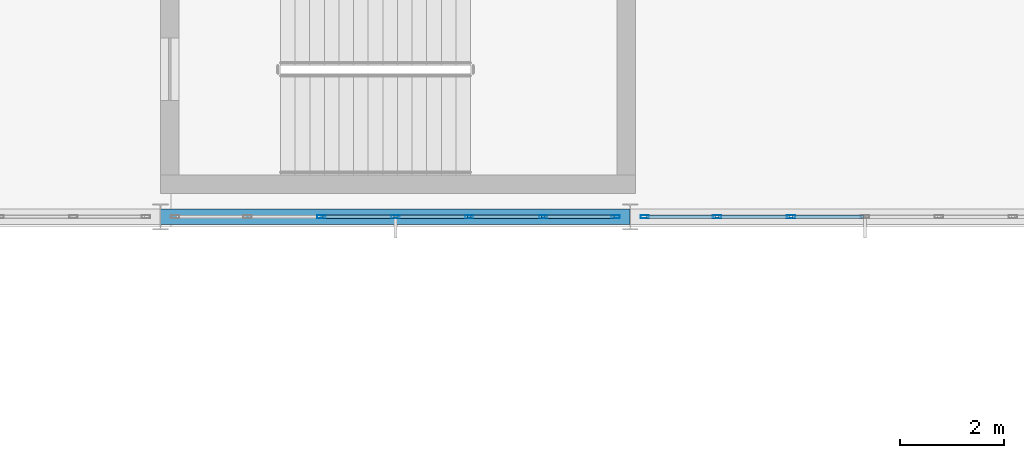
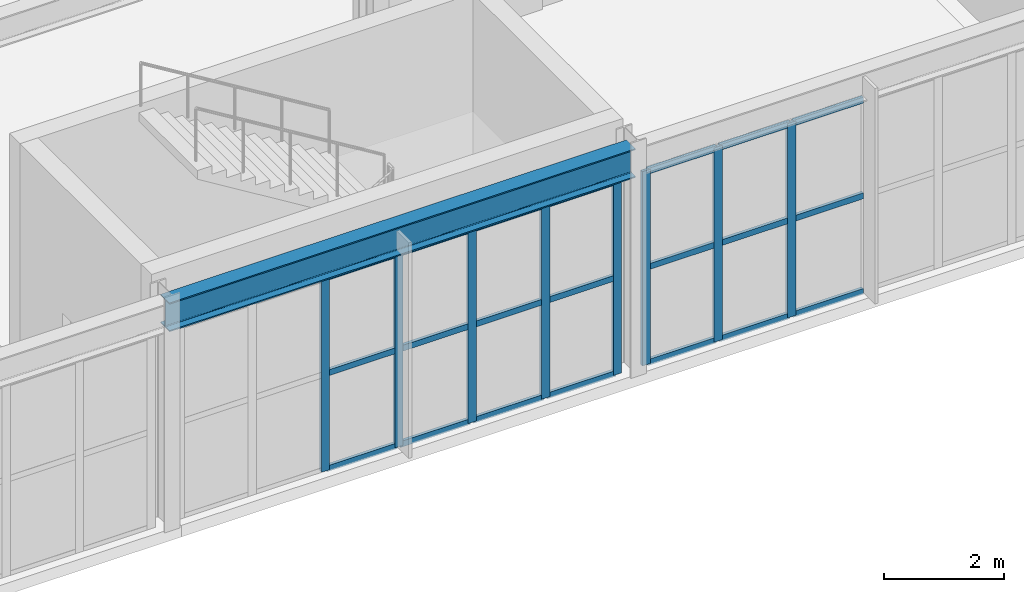
# One storey, part 34 of 112: 29 members, 1 beam, 2 elements without a shape of their own.
"""IFC4 building model written with IfcOpenShell, lengths in metres."""

from ifc_helpers import new_model, si_unit, direction, frame, origin, origin_2d, place, context, subcontext, project, spatial, hollow_rectangle, i_section, extrude, material, material_profile, profile_set, type_object, element, aggregate, save


model = new_model("IFC4")

# Units and contexts
model_context = context("Model", 3, precision=1e-05, world=origin(), true_north=direction((0.0, 1.0)))
body_context = subcontext(model_context, "Body", "Model", "MODEL_VIEW")
ifc_project = project(units=[si_unit("LENGTHUNIT", "METRE"), si_unit("AREAUNIT", "SQUARE_METRE"), si_unit("VOLUMEUNIT", "CUBIC_METRE"), si_unit("PLANEANGLEUNIT", "RADIAN"), si_unit("MASSUNIT", "GRAM", prefix="KILO")], contexts=[model_context])

# Site, building, storey
site_placement = place(None, origin())
site = spatial("IfcSite", under=ifc_project, at=site_placement, CompositionType="ELEMENT")
building_placement = place(site_placement, origin())
building = spatial("IfcBuilding", under=site, at=building_placement, Name="Kaldris Quays Convention Centre", CompositionType="ELEMENT")
storey_placement = place(building_placement, frame((0.0, 0.0, 16.800048828125)))
storey = spatial("IfcBuildingStorey", under=building, at=storey_placement, Name="L03", CompositionType="ELEMENT", Elevation=16.800048828125)

# Curtain wall, members
ifc_material_1 = material(Name="Anodized aluminium AW-6060 and triple glazing", Category="aluminium")
curtain_wall_type = type_object("IfcCurtainWallType", Name="UNITISED CURTAIN WALL CW04", PredefinedType="NOTDEFINED", material=ifc_material_1)
curtain_wall_1_placement = place(storey_placement, origin())
curtain_wall_1 = element("IfcCurtainWall", 1, at=curtain_wall_1_placement, inside=storey, type_object=curtain_wall_type, Name="L03 Unitised Curtain Wall CW04 126", PredefinedType="NOTDEFINED")
ifc_material_2 = material(Name="Anodized aluminium AW-6060", Category="aluminium")
ifc_material_profile_1 = material_profile(ifc_material_2, hollow_rectangle(XDim=0.06005859375, YDim=0.159912109375, WallThickness=0.00390625, at=origin_2d()), Name="RHS 160x60x4")
ifc_profile_set_1 = profile_set([ifc_material_profile_1], Name="Anodized aluminium AW-6060")
member_type_1 = type_object("IfcMemberType", Name="CURTAIN MULLION CWM1", PredefinedType="MULLION", material=ifc_profile_set_1)
member_1_placement = place(storey_placement, frame((131.083251953125, 38.0, 0.0), z_axis=(0.0, 0.0, 1.0), x_axis=(0.0, 1.0, 0.0)))
member_1 = element("IfcMember", 2, at=member_1_placement, type_object=member_type_1, Name="CW04 mullion 3", PredefinedType="MULLION", context=body_context, shape_type="SweptSolid", body=[
    extrude(hollow_rectangle(XDim=0.06005859375, YDim=0.159912109375, WallThickness=0.00390625, at=origin_2d()), origin(), (0.0, 0.0, 1.0), 3.96484375),
])
member_2_placement = place(storey_placement, frame((132.5, 38.0, 0.0), z_axis=(0.0, 0.0, 1.0), x_axis=(0.0, 1.0, 0.0)))
member_2 = element("IfcMember", 3, at=member_2_placement, type_object=member_type_1, Name="CW04 mullion 4", PredefinedType="MULLION", context=body_context, shape_type="SweptSolid", body=[
    extrude(hollow_rectangle(XDim=0.06005859375, YDim=0.159912109375, WallThickness=0.00390625, at=origin_2d()), origin(), (0.0, 0.0, 1.0), 3.96484375),
])
member_3_placement = place(storey_placement, frame((133.916748046875, 38.0, 0.0), z_axis=(0.0, 0.0, 1.0), x_axis=(0.0, 1.0, 0.0)))
member_3 = element("IfcMember", 4, at=member_3_placement, type_object=member_type_1, Name="CW04 mullion 5", PredefinedType="MULLION", context=body_context, shape_type="SweptSolid", body=[
    extrude(hollow_rectangle(XDim=0.06005859375, YDim=0.159912109375, WallThickness=0.00390625, at=origin_2d()), origin(), (0.0, 0.0, 1.0), 3.96484375),
])
member_4_placement = place(storey_placement, frame((135.333251953125, 38.0, 0.0), z_axis=(0.0, 0.0, 1.0), x_axis=(0.0, 1.0, 0.0)))
member_4 = element("IfcMember", 5, at=member_4_placement, type_object=member_type_1, Name="CW04 mullion 6", PredefinedType="MULLION", context=body_context, shape_type="SweptSolid", body=[
    extrude(hollow_rectangle(XDim=0.06005859375, YDim=0.159912109375, WallThickness=0.00390625, at=origin_2d()), origin(), (0.0, 0.0, 1.0), 3.96484375),
])
member_5_placement = place(storey_placement, frame((136.719970703125, 38.0, 0.0), z_axis=(0.0, 0.0, 1.0), x_axis=(0.0, 1.0, 0.0)))
member_5 = element("IfcMember", 6, at=member_5_placement, type_object=member_type_1, Name="CW04 mullion 7", PredefinedType="MULLION", context=body_context, shape_type="SweptSolid", body=[
    extrude(hollow_rectangle(XDim=0.06005859375, YDim=0.159912109375, WallThickness=0.00390625, at=origin_2d()), origin(), (0.0, 0.0, 1.0), 3.96484375),
])

curtain_wall_2_placement = place(storey_placement, origin())
curtain_wall_2 = element("IfcCurtainWall", 7, at=curtain_wall_2_placement, inside=storey, type_object=curtain_wall_type, Name="L03 Unitised Curtain Wall CW04 127", PredefinedType="NOTDEFINED")
member_6_placement = place(storey_placement, frame((137.280029296875, 38.0, 0.0), z_axis=(0.0, 0.0, 1.0), x_axis=(0.0, 1.0, 0.0)))
member_6 = element("IfcMember", 8, at=member_6_placement, type_object=member_type_1, Name="CW04 mullion 1", PredefinedType="MULLION", context=body_context, shape_type="SweptSolid", body=[
    extrude(hollow_rectangle(XDim=0.06005859375, YDim=0.159912109375, WallThickness=0.00390625, at=origin_2d()), origin(), (0.0, 0.0, 1.0), 3.96484375),
])
member_7_placement = place(storey_placement, frame((138.666748046875, 38.0, 0.0), z_axis=(0.0, 0.0, 1.0), x_axis=(0.0, 1.0, 0.0)))
member_7 = element("IfcMember", 9, at=member_7_placement, type_object=member_type_1, Name="CW04 mullion 2", PredefinedType="MULLION", context=body_context, shape_type="SweptSolid", body=[
    extrude(hollow_rectangle(XDim=0.06005859375, YDim=0.159912109375, WallThickness=0.00390625, at=origin_2d()), origin(), (0.0, 0.0, 1.0), 3.96484375),
])
member_8_placement = place(storey_placement, frame((140.083251953125, 38.0, 0.0), z_axis=(0.0, 0.0, 1.0), x_axis=(0.0, 1.0, 0.0)))
member_8 = element("IfcMember", 10, at=member_8_placement, type_object=member_type_1, Name="CW04 mullion 3", PredefinedType="MULLION", context=body_context, shape_type="SweptSolid", body=[
    extrude(hollow_rectangle(XDim=0.06005859375, YDim=0.159912109375, WallThickness=0.00390625, at=origin_2d()), origin(), (0.0, 0.0, 1.0), 3.96484375),
])

# Member
ifc_material_profile_2 = material_profile(ifc_material_2, hollow_rectangle(XDim=0.06005859375, YDim=0.1201171875, WallThickness=0.00390625, at=origin_2d()), Name="RHS 120x60x4")
ifc_profile_set_2 = profile_set([ifc_material_profile_2], Name="Anodized aluminium AW-6060")
member_type_2 = type_object("IfcMemberType", Name="CURTAIN TRANSOM CWT1", PredefinedType="USERDEFINED", material=ifc_profile_set_2)
member_9_placement = place(storey_placement, frame((131.11328125, 38.0, 0.030029296875), z_axis=(1.0, 0.0, 0.0), x_axis=(0.0, 1.0, 0.0)))
member_9 = element("IfcMember", 11, at=member_9_placement, type_object=member_type_2, Name="CW04 transom 3.1", ObjectType="TRANSOM", PredefinedType="USERDEFINED", context=body_context, shape_type="SweptSolid", body=[
    extrude(hollow_rectangle(XDim=0.06005859375, YDim=0.1201171875, WallThickness=0.00390625, at=origin_2d()), origin(), (0.0, 0.0, 1.0), 1.356689453125),
])

member_10_placement = place(storey_placement, frame((131.11328125, 38.0, 1.98193359375), z_axis=(1.0, 0.0, 0.0), x_axis=(0.0, 1.0, 0.0)))
member_10 = element("IfcMember", 12, at=member_10_placement, type_object=member_type_2, Name="CW04 transom 3.2", ObjectType="TRANSOM", PredefinedType="USERDEFINED", context=body_context, shape_type="SweptSolid", body=[
    extrude(hollow_rectangle(XDim=0.06005859375, YDim=0.1201171875, WallThickness=0.00390625, at=origin_2d()), origin(), (0.0, 0.0, 1.0), 1.356689453125),
])

member_11_placement = place(storey_placement, frame((131.11328125, 38.0, 3.93505859375), z_axis=(1.0, 0.0, 0.0), x_axis=(0.0, 1.0, 0.0)))
member_11 = element("IfcMember", 13, at=member_11_placement, type_object=member_type_2, Name="CW04 transom 3.3", ObjectType="TRANSOM", PredefinedType="USERDEFINED", context=body_context, shape_type="SweptSolid", body=[
    extrude(hollow_rectangle(XDim=0.06005859375, YDim=0.1201171875, WallThickness=0.00390625, at=origin_2d()), origin(), (0.0, 0.0, 1.0), 1.356689453125),
])

member_12_placement = place(storey_placement, frame((132.530029296875, 38.0, 0.030029296875), z_axis=(1.0, 0.0, 0.0), x_axis=(0.0, 1.0, 0.0)))
member_12 = element("IfcMember", 14, at=member_12_placement, type_object=member_type_2, Name="CW04 transom 4.1", ObjectType="TRANSOM", PredefinedType="USERDEFINED", context=body_context, shape_type="SweptSolid", body=[
    extrude(hollow_rectangle(XDim=0.06005859375, YDim=0.1201171875, WallThickness=0.00390625, at=origin_2d()), origin(), (0.0, 0.0, 1.0), 1.356689453125),
])

member_13_placement = place(storey_placement, frame((132.530029296875, 38.0, 1.98193359375), z_axis=(1.0, 0.0, 0.0), x_axis=(0.0, 1.0, 0.0)))
member_13 = element("IfcMember", 15, at=member_13_placement, type_object=member_type_2, Name="CW04 transom 4.2", ObjectType="TRANSOM", PredefinedType="USERDEFINED", context=body_context, shape_type="SweptSolid", body=[
    extrude(hollow_rectangle(XDim=0.06005859375, YDim=0.1201171875, WallThickness=0.00390625, at=origin_2d()), origin(), (0.0, 0.0, 1.0), 1.356689453125),
])

member_14_placement = place(storey_placement, frame((132.530029296875, 38.0, 3.93505859375), z_axis=(1.0, 0.0, 0.0), x_axis=(0.0, 1.0, 0.0)))
member_14 = element("IfcMember", 16, at=member_14_placement, type_object=member_type_2, Name="CW04 transom 4.3", ObjectType="TRANSOM", PredefinedType="USERDEFINED", context=body_context, shape_type="SweptSolid", body=[
    extrude(hollow_rectangle(XDim=0.06005859375, YDim=0.1201171875, WallThickness=0.00390625, at=origin_2d()), origin(), (0.0, 0.0, 1.0), 1.356689453125),
])

member_15_placement = place(storey_placement, frame((133.94677734375, 38.0, 0.030029296875), z_axis=(1.0, 0.0, 0.0), x_axis=(0.0, 1.0, 0.0)))
member_15 = element("IfcMember", 17, at=member_15_placement, type_object=member_type_2, Name="CW04 transom 5.1", ObjectType="TRANSOM", PredefinedType="USERDEFINED", context=body_context, shape_type="SweptSolid", body=[
    extrude(hollow_rectangle(XDim=0.06005859375, YDim=0.1201171875, WallThickness=0.00390625, at=origin_2d()), origin(), (0.0, 0.0, 1.0), 1.3564453125),
])

member_16_placement = place(storey_placement, frame((133.94677734375, 38.0, 1.98193359375), z_axis=(1.0, 0.0, 0.0), x_axis=(0.0, 1.0, 0.0)))
member_16 = element("IfcMember", 18, at=member_16_placement, type_object=member_type_2, Name="CW04 transom 5.2", ObjectType="TRANSOM", PredefinedType="USERDEFINED", context=body_context, shape_type="SweptSolid", body=[
    extrude(hollow_rectangle(XDim=0.06005859375, YDim=0.1201171875, WallThickness=0.00390625, at=origin_2d()), origin(), (0.0, 0.0, 1.0), 1.3564453125),
])

member_17_placement = place(storey_placement, frame((133.94677734375, 38.0, 3.93505859375), z_axis=(1.0, 0.0, 0.0), x_axis=(0.0, 1.0, 0.0)))
member_17 = element("IfcMember", 19, at=member_17_placement, type_object=member_type_2, Name="CW04 transom 5.3", ObjectType="TRANSOM", PredefinedType="USERDEFINED", context=body_context, shape_type="SweptSolid", body=[
    extrude(hollow_rectangle(XDim=0.06005859375, YDim=0.1201171875, WallThickness=0.00390625, at=origin_2d()), origin(), (0.0, 0.0, 1.0), 1.3564453125),
])

member_18_placement = place(storey_placement, frame((135.36328125, 38.0, 0.030029296875), z_axis=(1.0, 0.0, 0.0), x_axis=(0.0, 1.0, 0.0)))
member_18 = element("IfcMember", 20, at=member_18_placement, type_object=member_type_2, Name="CW04 transom 6.1", ObjectType="TRANSOM", PredefinedType="USERDEFINED", context=body_context, shape_type="SweptSolid", body=[
    extrude(hollow_rectangle(XDim=0.06005859375, YDim=0.1201171875, WallThickness=0.00390625, at=origin_2d()), origin(), (0.0, 0.0, 1.0), 1.32666015625),
])

member_19_placement = place(storey_placement, frame((135.36328125, 38.0, 1.98193359375), z_axis=(1.0, 0.0, 0.0), x_axis=(0.0, 1.0, 0.0)))
member_19 = element("IfcMember", 21, at=member_19_placement, type_object=member_type_2, Name="CW04 transom 6.2", ObjectType="TRANSOM", PredefinedType="USERDEFINED", context=body_context, shape_type="SweptSolid", body=[
    extrude(hollow_rectangle(XDim=0.06005859375, YDim=0.1201171875, WallThickness=0.00390625, at=origin_2d()), origin(), (0.0, 0.0, 1.0), 1.32666015625),
])

member_20_placement = place(storey_placement, frame((135.36328125, 38.0, 3.93505859375), z_axis=(1.0, 0.0, 0.0), x_axis=(0.0, 1.0, 0.0)))
member_20 = element("IfcMember", 22, at=member_20_placement, type_object=member_type_2, Name="CW04 transom 6.3", ObjectType="TRANSOM", PredefinedType="USERDEFINED", context=body_context, shape_type="SweptSolid", body=[
    extrude(hollow_rectangle(XDim=0.06005859375, YDim=0.1201171875, WallThickness=0.00390625, at=origin_2d()), origin(), (0.0, 0.0, 1.0), 1.32666015625),
])

aggregate(curtain_wall_1, [member_1, member_2, member_3, member_4, member_5, member_9, member_10, member_11, member_12, member_13, member_14, member_15, member_16, member_17, member_18, member_19, member_20])

member_21_placement = place(storey_placement, frame((137.31005859375, 38.0, 0.030029296875), z_axis=(1.0, 0.0, 0.0), x_axis=(0.0, 1.0, 0.0)))
member_21 = element("IfcMember", 23, at=member_21_placement, type_object=member_type_2, Name="CW04 transom 1.1", ObjectType="TRANSOM", PredefinedType="USERDEFINED", context=body_context, shape_type="SweptSolid", body=[
    extrude(hollow_rectangle(XDim=0.06005859375, YDim=0.1201171875, WallThickness=0.00390625, at=origin_2d()), origin(), (0.0, 0.0, 1.0), 1.32666015625),
])

member_22_placement = place(storey_placement, frame((137.31005859375, 38.0, 1.98193359375), z_axis=(1.0, 0.0, 0.0), x_axis=(0.0, 1.0, 0.0)))
member_22 = element("IfcMember", 24, at=member_22_placement, type_object=member_type_2, Name="CW04 transom 1.2", ObjectType="TRANSOM", PredefinedType="USERDEFINED", context=body_context, shape_type="SweptSolid", body=[
    extrude(hollow_rectangle(XDim=0.06005859375, YDim=0.1201171875, WallThickness=0.00390625, at=origin_2d()), origin(), (0.0, 0.0, 1.0), 1.32666015625),
])

member_23_placement = place(storey_placement, frame((137.31005859375, 38.0, 3.93505859375), z_axis=(1.0, 0.0, 0.0), x_axis=(0.0, 1.0, 0.0)))
member_23 = element("IfcMember", 25, at=member_23_placement, type_object=member_type_2, Name="CW04 transom 1.3", ObjectType="TRANSOM", PredefinedType="USERDEFINED", context=body_context, shape_type="SweptSolid", body=[
    extrude(hollow_rectangle(XDim=0.06005859375, YDim=0.1201171875, WallThickness=0.00390625, at=origin_2d()), origin(), (0.0, 0.0, 1.0), 1.32666015625),
])

member_24_placement = place(storey_placement, frame((138.69677734375, 38.0, 0.030029296875), z_axis=(1.0, 0.0, 0.0), x_axis=(0.0, 1.0, 0.0)))
member_24 = element("IfcMember", 26, at=member_24_placement, type_object=member_type_2, Name="CW04 transom 2.1", ObjectType="TRANSOM", PredefinedType="USERDEFINED", context=body_context, shape_type="SweptSolid", body=[
    extrude(hollow_rectangle(XDim=0.06005859375, YDim=0.1201171875, WallThickness=0.00390625, at=origin_2d()), origin(), (0.0, 0.0, 1.0), 1.3564453125),
])

member_25_placement = place(storey_placement, frame((138.69677734375, 38.0, 1.98193359375), z_axis=(1.0, 0.0, 0.0), x_axis=(0.0, 1.0, 0.0)))
member_25 = element("IfcMember", 27, at=member_25_placement, type_object=member_type_2, Name="CW04 transom 2.2", ObjectType="TRANSOM", PredefinedType="USERDEFINED", context=body_context, shape_type="SweptSolid", body=[
    extrude(hollow_rectangle(XDim=0.06005859375, YDim=0.1201171875, WallThickness=0.00390625, at=origin_2d()), origin(), (0.0, 0.0, 1.0), 1.3564453125),
])

member_26_placement = place(storey_placement, frame((138.69677734375, 38.0, 3.93505859375), z_axis=(1.0, 0.0, 0.0), x_axis=(0.0, 1.0, 0.0)))
member_26 = element("IfcMember", 28, at=member_26_placement, type_object=member_type_2, Name="CW04 transom 2.3", ObjectType="TRANSOM", PredefinedType="USERDEFINED", context=body_context, shape_type="SweptSolid", body=[
    extrude(hollow_rectangle(XDim=0.06005859375, YDim=0.1201171875, WallThickness=0.00390625, at=origin_2d()), origin(), (0.0, 0.0, 1.0), 1.3564453125),
])

member_27_placement = place(storey_placement, frame((140.11328125, 38.0, 0.030029296875), z_axis=(1.0, 0.0, 0.0), x_axis=(0.0, 1.0, 0.0)))
member_27 = element("IfcMember", 29, at=member_27_placement, type_object=member_type_2, Name="CW04 transom 3.1", ObjectType="TRANSOM", PredefinedType="USERDEFINED", context=body_context, shape_type="SweptSolid", body=[
    extrude(hollow_rectangle(XDim=0.06005859375, YDim=0.1201171875, WallThickness=0.00390625, at=origin_2d()), origin(), (0.0, 0.0, 1.0), 1.356689453125),
])

member_28_placement = place(storey_placement, frame((140.11328125, 38.0, 1.98193359375), z_axis=(1.0, 0.0, 0.0), x_axis=(0.0, 1.0, 0.0)))
member_28 = element("IfcMember", 30, at=member_28_placement, type_object=member_type_2, Name="CW04 transom 3.2", ObjectType="TRANSOM", PredefinedType="USERDEFINED", context=body_context, shape_type="SweptSolid", body=[
    extrude(hollow_rectangle(XDim=0.06005859375, YDim=0.1201171875, WallThickness=0.00390625, at=origin_2d()), origin(), (0.0, 0.0, 1.0), 1.356689453125),
])

member_29_placement = place(storey_placement, frame((140.11328125, 38.0, 3.93505859375), z_axis=(1.0, 0.0, 0.0), x_axis=(0.0, 1.0, 0.0)))
member_29 = element("IfcMember", 31, at=member_29_placement, type_object=member_type_2, Name="CW04 transom 3.3", ObjectType="TRANSOM", PredefinedType="USERDEFINED", context=body_context, shape_type="SweptSolid", body=[
    extrude(hollow_rectangle(XDim=0.06005859375, YDim=0.1201171875, WallThickness=0.00390625, at=origin_2d()), origin(), (0.0, 0.0, 1.0), 1.356689453125),
])

aggregate(curtain_wall_2, [member_6, member_7, member_8, member_21, member_22, member_23, member_24, member_25, member_26, member_27, member_28, member_29])

# Beam
ifc_material_3 = material(Name="Steel S355J2", Category="steel")
ifc_material_profile_3 = material_profile(ifc_material_3, i_section(OverallWidth=0.300048828125, OverallDepth=0.590087890625, WebThickness=0.012939453125, FlangeThickness=0.02490234375, FilletRadius=0.027099609375, at=origin_2d()), Name="HEA 600")
ifc_profile_set_3 = profile_set([ifc_material_profile_3], Name="Steel S355J2")
beam_type = type_object("IfcBeamType", Name="STRUCTURAL BEAM BM08", PredefinedType="BEAM", material=ifc_profile_set_3)
beam_placement = place(storey_placement, frame((128.001220703125, 38.0, 4.284912109375), z_axis=(1.0, 0.0, 0.0), x_axis=(0.0, 1.0, 0.0)))
element("IfcBeam", 32, at=beam_placement, inside=storey, type_object=beam_type, Name="L03 Girder BM08 6", PredefinedType="BEAM", context=body_context, shape_type="SweptSolid", body=[
    extrude(i_section(OverallWidth=0.300048828125, OverallDepth=0.590087890625, WebThickness=0.012939453125, FlangeThickness=0.02490234375, FilletRadius=0.027099609375, at=origin_2d()), origin(), (0.0, 0.0, 1.0), 8.99755859375),
])

save(model, "model.ifc")
